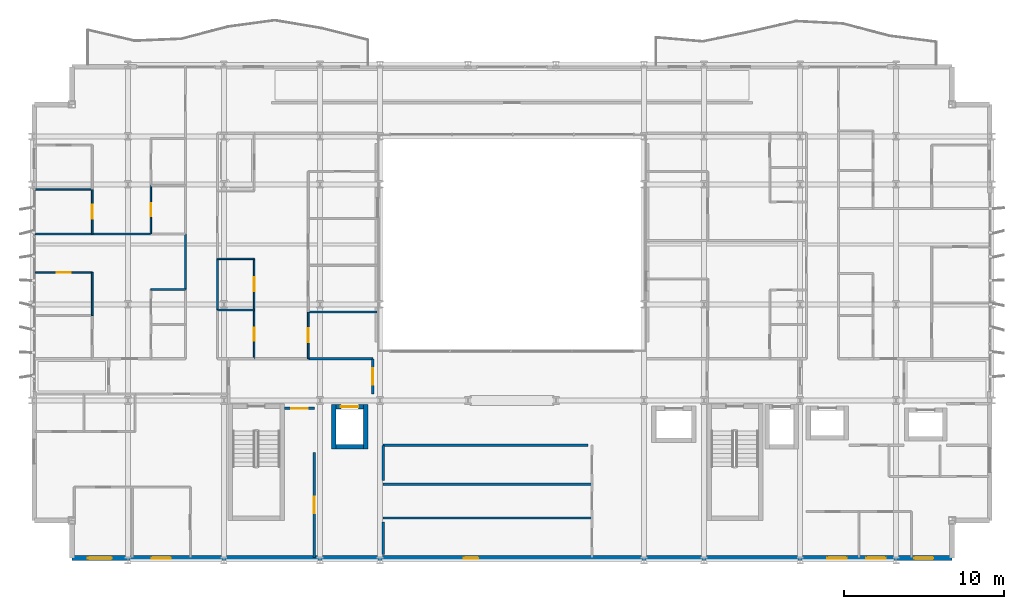
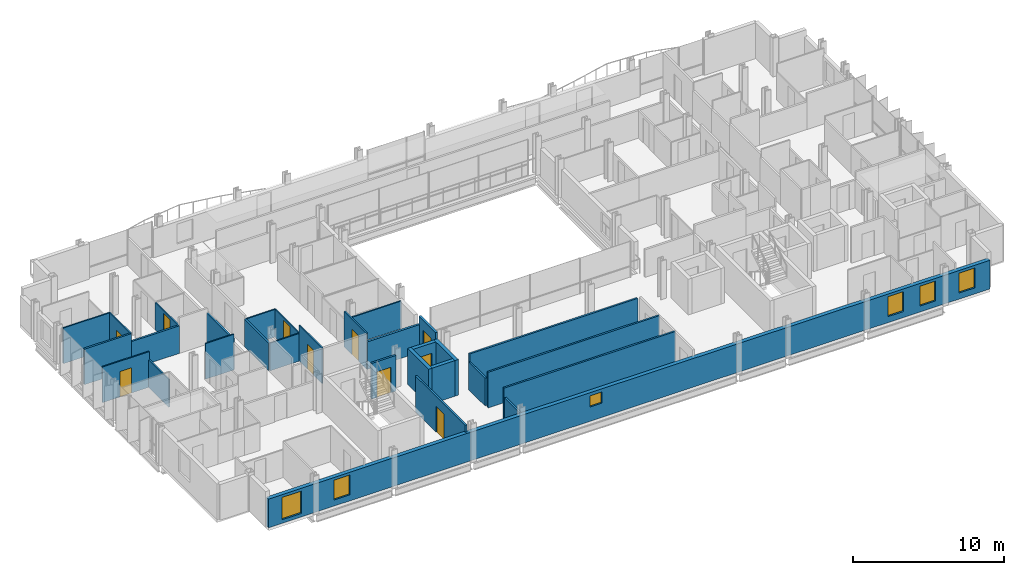
# One storey, part 28 of 38: 30 walls, 10 doors, 6 windows, 16 openings.
"""IFC4 building model written with IfcOpenShell, lengths in metres."""

from ifc_helpers import new_model, si_unit, direction, frame, frame_2d, origin, place, context, subcontext, project, spatial, rectangle, extrude, material, layer, layer_set, type_object, element, fill, save


model = new_model("IFC4")

# Units and contexts
model_context = context("Model", 3, precision=1e-05, world=origin(), true_north=direction((0.0, 1.0)))
body_context = subcontext(model_context, "Body", "Model", "MODEL_VIEW")
ifc_project = project(units=[si_unit("LENGTHUNIT", "METRE"), si_unit("AREAUNIT", "SQUARE_METRE"), si_unit("VOLUMEUNIT", "CUBIC_METRE"), si_unit("PLANEANGLEUNIT", "RADIAN"), si_unit("MASSUNIT", "GRAM", prefix="KILO")], contexts=[model_context])

# Site, building, storey
site_placement = place(None, origin())
site = spatial("IfcSite", under=ifc_project, at=site_placement, CompositionType="ELEMENT")
building_placement = place(site_placement, origin())
building = spatial("IfcBuilding", under=site, at=building_placement, Name="Brevholm Reach", CompositionType="ELEMENT")
storey_placement = place(building_placement, frame((0.0, 0.0, 59.0)))
storey = spatial("IfcBuildingStorey", under=building, at=storey_placement, Name="L16", CompositionType="ELEMENT", Elevation=59.0)

# Walls
ifc_material_1 = material(Name="Concrete C50/60", Category="concrete")
ifc_layer_1 = layer(ifc_material_1, 0.280029296875)
ifc_layer_set_1 = layer_set([ifc_layer_1], Name="Concrete C50/60")
wall_type_1 = type_object("IfcWallType", Name="WAL-COR-280", PredefinedType="SHEAR", material=ifc_layer_set_1)
for number, where, z_axis, x_axis, name in (
    (1, (18.85009765625, 6.9599609375, 0.0), (0.0, 0.0, 1.0), (0.0, 1.0, 0.0), "L16 Lift FFL-1 Shaft Wall W"),
    (2, (20.85009765625, 6.9599609375, 0.0), (0.0, 0.0, 1.0), (0.0, 1.0, 0.0), "L16 Lift FFL-1 Shaft Wall E"),
):
    element("IfcWall", number, at=place(storey_placement, frame(where, z_axis=z_axis, x_axis=x_axis)), inside=storey, type_object=wall_type_1, Name=name, PredefinedType="SHEAR", context=body_context, shape_type="SweptSolid", body=[
        extrude(rectangle(XDim=2.780029296875, YDim=0.280029296875, at=frame_2d((1.39013671875, 0.0))), origin(), (0.0, 0.0, 1.0), 2.8701171875),
    ])
wall_1_placement = place(storey_placement, frame((18.989990234375, 7.10009765625, 0.0), z_axis=(0.0, 0.0, 1.0), x_axis=(1.0, 0.0, 0.0)))
element("IfcWall", 3, at=wall_1_placement, inside=storey, type_object=wall_type_1, Name="L16 Lift FFL-1 Shaft Wall S", PredefinedType="SHEAR", context=body_context, shape_type="SweptSolid", body=[
    extrude(rectangle(XDim=1.719970703125, YDim=0.280029296875, at=frame_2d((0.85986328125, 0.0))), origin(), (0.0, 0.0, 1.0), 2.8701171875),
])

# Wall, opening, door
wall_2_placement = place(storey_placement, frame((18.989990234375, 9.60009765625, 0.0), z_axis=(0.0, 0.0, 1.0), x_axis=(1.0, 0.0, 0.0)))
wall_2 = element("IfcWall", 4, at=wall_2_placement, inside=storey, type_object=wall_type_1, Name="L16 Lift FFL-1 Shaft Wall N", PredefinedType="SHEAR", context=body_context, shape_type="SweptSolid", body=[
    extrude(rectangle(XDim=1.719970703125, YDim=0.280029296875, at=frame_2d((0.85986328125, 0.0))), origin(), (0.0, 0.0, 1.0), 2.8701171875),
])
opening_1_placement = place(wall_2_placement, frame((0.31005859375, 0.0, 0.0)))
opening_1 = element("IfcOpeningElement", 5, at=opening_1_placement, cuts=wall_2, Name="Opening LD-FFL-1", PredefinedType="OPENING", context=body_context, shape_type="SweptSolid", body=[
    extrude(rectangle(XDim=1.10009765625, YDim=2.06005859375, at=frame_2d((0.550048828125, 1.030029296875))), frame((0.0, 0.14990234375, 0.0), z_axis=(0.0, -1.0, 0.0), x_axis=(1.0, 0.0, 0.0)), (0.0, 0.0, 1.0), 0.300048828125),
])
ifc_material_2 = material(Name="Brushed Stainless Steel Fire-Rated Sliding Lift Door", Category="steel")
door_type_1 = type_object("IfcDoorType", Name="DOR-LFT-1100", OperationType="NOTDEFINED", PredefinedType="DOOR", material=ifc_material_2)
door_1_placement = place(opening_1_placement, origin())
door_1 = element("IfcDoor", 6, at=door_1_placement, inside=storey, type_object=door_type_1, Name="L16 Lift FFL-1 Sliding Landing Door", OperationType="SLIDING_TO_RIGHT", OverallHeight=2.06005859375, OverallWidth=1.10009765625, PredefinedType="DOOR", context=body_context, shape_type="SweptSolid", body=[
    extrude(rectangle(XDim=1.10009765625, YDim=2.06005859375, at=frame_2d((0.550048828125, 1.030029296875))), frame((0.0, 0.02490234375, 0.0), z_axis=(0.0, -1.0, 0.0), x_axis=(1.0, 0.0, 0.0)), (0.0, 0.0, 1.0), 0.050048828125),
])
fill(opening_1, door_1)

# Wall, openings, windows
ifc_material_3 = material(Name="Concrete C40/50", Category="concrete")
ifc_layer_2 = layer(ifc_material_3, 0.300048828125)
ifc_layer_set_2 = layer_set([ifc_layer_2], Name="Concrete C40/50")
wall_type_2 = type_object("IfcWallType", Name="WAL-EXT-300", PredefinedType="STANDARD", material=ifc_layer_set_2)
wall_3_placement = place(storey_placement, frame((2.5, 0.14990234375, 0.0), z_axis=(0.0, 0.0, 1.0), x_axis=(1.0, 0.0, 0.0)))
wall_3 = element("IfcWall", 7, at=wall_3_placement, inside=storey, type_object=wall_type_2, Name="L16 Facade Wall WAL-L16-S", PredefinedType="STANDARD", context=body_context, shape_type="SweptSolid", body=[
    extrude(rectangle(XDim=55.0, YDim=0.300048828125, at=frame_2d((27.5, 0.0))), origin(), (0.0, 0.0, 1.0), 2.305419921875),
])
opening_2_placement = place(wall_3_placement, frame((1.0, 0.0, 0.285888671875)))
opening_2 = element("IfcOpeningElement", 8, at=opening_2_placement, cuts=wall_3, Name="Opening WN-05", PredefinedType="OPENING", context=body_context, shape_type="SweptSolid", body=[
    extrude(rectangle(XDim=1.5, YDim=1.800048828125, at=frame_2d((0.75, 0.89990234375))), frame((0.0, 0.159912109375, 0.0), z_axis=(0.0, -1.0, 0.0), x_axis=(1.0, 0.0, 0.0)), (0.0, 0.0, 1.0), 0.320068359375),
])
opening_3_placement = place(wall_3_placement, frame((24.5, 0.0, 1.14990234375)))
opening_3 = element("IfcOpeningElement", 9, at=opening_3_placement, cuts=wall_3, Name="Opening WN-09", PredefinedType="OPENING", context=body_context, shape_type="SweptSolid", body=[
    extrude(rectangle(XDim=0.89990234375, YDim=0.89990234375, at=frame_2d((0.449951171875, 0.449951171875))), frame((0.0, 0.159912109375, 0.0), z_axis=(0.0, -1.0, 0.0), x_axis=(1.0, 0.0, 0.0)), (0.0, 0.0, 1.0), 0.320068359375),
])
opening_4_placement = place(wall_3_placement, frame((47.199951171875, 0.0, 0.486083984375)))
opening_4 = element("IfcOpeningElement", 10, at=opening_4_placement, cuts=wall_3, Name="Opening WN-08", PredefinedType="OPENING", context=body_context, shape_type="SweptSolid", body=[
    extrude(rectangle(XDim=1.199951171875, YDim=1.60009765625, at=frame_2d((0.60009765625, 0.800048828125))), frame((0.0, 0.159912109375, 0.0), z_axis=(0.0, -1.0, 0.0), x_axis=(1.0, 0.0, 0.0)), (0.0, 0.0, 1.0), 0.320068359375),
])
opening_5_placement = place(wall_3_placement, frame((52.6298828125, 0.0, 0.486083984375)))
opening_5 = element("IfcOpeningElement", 11, at=opening_5_placement, cuts=wall_3, Name="Opening WN-08", PredefinedType="OPENING", context=body_context, shape_type="SweptSolid", body=[
    extrude(rectangle(XDim=1.199951171875, YDim=1.60009765625, at=frame_2d((0.60009765625, 0.800048828125))), frame((0.0, 0.159912109375, 0.0), z_axis=(0.0, -1.0, 0.0), x_axis=(1.0, 0.0, 0.0)), (0.0, 0.0, 1.0), 0.320068359375),
])
opening_6_placement = place(wall_3_placement, frame((4.987548828125, 0.0, 0.485595703125)))
opening_6 = element("IfcOpeningElement", 12, at=opening_6_placement, cuts=wall_3, Name="Opening WN-08", PredefinedType="OPENING", context=body_context, shape_type="SweptSolid", body=[
    extrude(rectangle(XDim=1.199951171875, YDim=1.60009765625, at=frame_2d((0.60009765625, 0.800048828125))), frame((0.0, 0.159912109375, 0.0), z_axis=(0.0, -1.0, 0.0), x_axis=(1.0, 0.0, 0.0)), (0.0, 0.0, 1.0), 0.320068359375),
])
opening_7_placement = place(wall_3_placement, frame((49.6416015625, 0.0, 0.485595703125)))
opening_7 = element("IfcOpeningElement", 13, at=opening_7_placement, cuts=wall_3, Name="Opening WN-08", PredefinedType="OPENING", context=body_context, shape_type="SweptSolid", body=[
    extrude(rectangle(XDim=1.199951171875, YDim=1.60009765625, at=frame_2d((0.60009765625, 0.800048828125))), frame((0.0, 0.159912109375, 0.0), z_axis=(0.0, -1.0, 0.0), x_axis=(1.0, 0.0, 0.0)), (0.0, 0.0, 1.0), 0.320068359375),
])
ifc_material_4 = material(Name="Dark Anodised Aluminium and Solar-Control IGU Glass", Category="aluminium")
window_type_1 = type_object("IfcWindowType", Name="WIN-POR-0900", PartitioningType="SINGLE_PANEL", PredefinedType="WINDOW", material=ifc_material_4)
window_1_placement = place(opening_3_placement, origin())
window_1 = element("IfcWindow", 14, at=window_1_placement, inside=storey, type_object=window_type_1, Name="L16 Window WIN-L16-S-POR", OverallHeight=0.89990234375, OverallWidth=0.89990234375, PartitioningType="SINGLE_PANEL", PredefinedType="WINDOW", context=body_context, shape_type="SweptSolid", body=[
    extrude(rectangle(XDim=0.89990234375, YDim=0.89990234375, at=frame_2d((0.449951171875, 0.449951171875))), frame((0.0, 0.030029296875, 0.0), z_axis=(0.0, -1.0, 0.0), x_axis=(1.0, 0.0, 0.0)), (0.0, 0.0, 1.0), 0.06005859375),
])
fill(opening_3, window_1)
ifc_material_5 = material(Name="Dark Anodised Aluminium and Solar-Control IGU Glass", Category="aluminium")
window_type_2 = type_object("IfcWindowType", Name="WIN-RES-1200", PartitioningType="SINGLE_PANEL", PredefinedType="WINDOW", material=ifc_material_5)
window_2_placement = place(opening_4_placement, origin())
window_2 = element("IfcWindow", 15, at=window_2_placement, inside=storey, type_object=window_type_2, Name="L16 Window WIN-L16-S-E1", OverallHeight=1.60009765625, OverallWidth=1.199951171875, PartitioningType="SINGLE_PANEL", PredefinedType="WINDOW", context=body_context, shape_type="SweptSolid", body=[
    extrude(rectangle(XDim=1.199951171875, YDim=1.60009765625, at=frame_2d((0.60009765625, 0.800048828125))), frame((0.0, 0.030029296875, 0.0), z_axis=(0.0, -1.0, 0.0), x_axis=(1.0, 0.0, 0.0)), (0.0, 0.0, 1.0), 0.06005859375),
])
fill(opening_4, window_2)
window_3_placement = place(opening_5_placement, origin())
window_3 = element("IfcWindow", 16, at=window_3_placement, inside=storey, type_object=window_type_2, Name="L16 Window WIN-L16-S-E2", OverallHeight=1.60009765625, OverallWidth=1.199951171875, PartitioningType="SINGLE_PANEL", PredefinedType="WINDOW", context=body_context, shape_type="SweptSolid", body=[
    extrude(rectangle(XDim=1.199951171875, YDim=1.60009765625, at=frame_2d((0.60009765625, 0.800048828125))), frame((0.0, 0.030029296875, 0.0), z_axis=(0.0, -1.0, 0.0), x_axis=(1.0, 0.0, 0.0)), (0.0, 0.0, 1.0), 0.06005859375),
])
fill(opening_5, window_3)
window_4_placement = place(opening_6_placement, origin())
window_4 = element("IfcWindow", 17, at=window_4_placement, inside=storey, type_object=window_type_2, Name="L16 Bedroom Window 011", OverallHeight=1.60009765625, OverallWidth=1.199951171875, PartitioningType="SINGLE_PANEL", PredefinedType="WINDOW", context=body_context, shape_type="SweptSolid", body=[
    extrude(rectangle(XDim=1.199951171875, YDim=1.60009765625, at=frame_2d((0.60009765625, 0.800048828125))), frame((0.0, 0.030029296875, 0.0), z_axis=(0.0, -1.0, 0.0), x_axis=(1.0, 0.0, 0.0)), (0.0, 0.0, 1.0), 0.06005859375),
])
fill(opening_6, window_4)
window_5_placement = place(opening_7_placement, origin())
window_5 = element("IfcWindow", 18, at=window_5_placement, inside=storey, type_object=window_type_2, Name="L16 Bedroom Window 012", OverallHeight=1.60009765625, OverallWidth=1.199951171875, PartitioningType="SINGLE_PANEL", PredefinedType="WINDOW", context=body_context, shape_type="SweptSolid", body=[
    extrude(rectangle(XDim=1.199951171875, YDim=1.60009765625, at=frame_2d((0.60009765625, 0.800048828125))), frame((0.0, 0.030029296875, 0.0), z_axis=(0.0, -1.0, 0.0), x_axis=(1.0, 0.0, 0.0)), (0.0, 0.0, 1.0), 0.06005859375),
])
fill(opening_7, window_5)
ifc_material_6 = material(Name="Dark Anodised Aluminium and Solar-Control IGU Glass", Category="aluminium")
window_type_3 = type_object("IfcWindowType", Name="WIN-RES-1500", PartitioningType="SINGLE_PANEL", PredefinedType="WINDOW", material=ifc_material_6)
window_6_placement = place(opening_2_placement, origin())
window_6 = element("IfcWindow", 19, at=window_6_placement, inside=storey, type_object=window_type_3, Name="L16 Window WIN-L16-S-W1", OverallHeight=1.800048828125, OverallWidth=1.5, PartitioningType="SINGLE_PANEL", PredefinedType="WINDOW", context=body_context, shape_type="SweptSolid", body=[
    extrude(rectangle(XDim=1.5, YDim=1.800048828125, at=frame_2d((0.75, 0.89990234375))), frame((0.0, 0.030029296875, 0.0), z_axis=(0.0, -1.0, 0.0), x_axis=(1.0, 0.0, 0.0)), (0.0, 0.0, 1.0), 0.06005859375),
])
fill(opening_2, window_6)

# Walls
ifc_material_7 = material(Name="Moisture-Resistant Acoustic Gypsum Stud Partition 100 mm", Category="gypsum")
ifc_layer_3 = layer(ifc_material_7, 0.10009765625)
ifc_layer_set_3 = layer_set([ifc_layer_3], Name="Moisture-Resistant Acoustic Gypsum Stud Partition 100 mm")
wall_type_3 = type_object("IfcWallType", Name="WAL-PRT-100", PredefinedType="PARTITIONING", material=ifc_layer_set_3)
wall_4_placement = place(storey_placement, frame((7.43798828125, 16.93408203125, 0.0), z_axis=(0.0, 0.0, 1.0), x_axis=(1.0, 0.0, 0.0)))
element("IfcWall", 20, at=wall_4_placement, inside=storey, type_object=wall_type_3, Name="L16 Internal Partition 086", PredefinedType="PARTITIONING", context=body_context, shape_type="SweptSolid", body=[
    extrude(rectangle(XDim=2.157958984375, YDim=0.10009765625, at=frame_2d((1.0791015625, 0.0))), origin(), (0.0, 0.0, 1.0), 2.8701171875),
])
wall_5_placement = place(storey_placement, frame((3.77197265625, 15.303955078125, 0.0), z_axis=(0.0, 0.0, 1.0), x_axis=(0.0, 1.0, 0.0)))
element("IfcWall", 21, at=wall_5_placement, inside=storey, type_object=wall_type_3, Name="L16 Internal Partition 090", PredefinedType="PARTITIONING", context=body_context, shape_type="SweptSolid", body=[
    extrude(rectangle(XDim=2.696044921875, YDim=0.10009765625, at=frame_2d((1.34814453125, 0.0))), origin(), (0.0, 0.0, 1.0), 2.224853515625),
])

# Wall, opening, door
wall_6_placement = place(storey_placement, frame((0.199951171875, 18.0, 0.0), z_axis=(0.0, 0.0, 1.0), x_axis=(1.0, 0.0, 0.0)))
wall_6 = element("IfcWall", 22, at=wall_6_placement, inside=storey, type_object=wall_type_3, Name="L16 Internal Partition 091", PredefinedType="PARTITIONING", context=body_context, shape_type="SweptSolid", body=[
    extrude(rectangle(XDim=3.572021484375, YDim=0.10009765625, at=frame_2d((1.7861328125, 0.0))), origin(), (0.0, 0.0, 1.0), 2.8701171875),
])
opening_8_placement = place(wall_6_placement, frame((1.345947265625, 0.0, 0.0)))
opening_8 = element("IfcOpeningElement", 23, at=opening_8_placement, cuts=wall_6, Name="Opening ID-01", PredefinedType="OPENING", context=body_context, shape_type="SweptSolid", body=[
    extrude(rectangle(XDim=0.8798828125, YDim=2.0400390625, at=frame_2d((0.43994140625, 1.02001953125))), frame((0.0, 0.06005859375, 0.0), z_axis=(0.0, -1.0, 0.0), x_axis=(1.0, 0.0, 0.0)), (0.0, 0.0, 1.0), 0.1201171875),
])
ifc_material_8 = material(Name="Lacquered Ash Solid-Core Acoustic Internal Door", Category="timber")
door_type_2 = type_object("IfcDoorType", Name="DOR-INT-880", OperationType="NOTDEFINED", PredefinedType="DOOR", material=ifc_material_8)
door_2_placement = place(opening_8_placement, origin())
door_2 = element("IfcDoor", 24, at=door_2_placement, inside=storey, type_object=door_type_2, Name="L16 Internal Door 033", OperationType="SINGLE_SWING_LEFT", OverallHeight=2.0400390625, OverallWidth=0.8798828125, PredefinedType="DOOR", context=body_context, shape_type="SweptSolid", body=[
    extrude(rectangle(XDim=0.8798828125, YDim=2.0400390625, at=frame_2d((0.43994140625, 1.02001953125))), frame((0.0, 0.02490234375, 0.0), z_axis=(0.0, -1.0, 0.0), x_axis=(1.0, 0.0, 0.0)), (0.0, 0.0, 1.0), 0.050048828125),
])
fill(opening_8, door_2)

wall_7_placement = place(storey_placement, frame((7.43798828125, 20.404052734375, 0.0), z_axis=(0.0, 0.0, 1.0), x_axis=(0.0, 1.0, 0.0)))
wall_7 = element("IfcWall", 25, at=wall_7_placement, inside=storey, type_object=wall_type_3, Name="L16 Internal Partition 096", PredefinedType="PARTITIONING", context=body_context, shape_type="SweptSolid", body=[
    extrude(rectangle(XDim=3.0439453125, YDim=0.10009765625, at=frame_2d((1.52197265625, 0.0))), origin(), (0.0, 0.0, 1.0), 2.224853515625),
])
opening_9_placement = place(wall_7_placement, frame((1.112060546875, 0.0, 0.0)))
opening_9 = element("IfcOpeningElement", 26, at=opening_9_placement, cuts=wall_7, Name="Opening ID-03", PredefinedType="OPENING", context=body_context, shape_type="SweptSolid", body=[
    extrude(rectangle(XDim=0.820068359375, YDim=2.02001953125, at=frame_2d((0.41015625, 1.010009765625))), frame((0.0, 0.06005859375, 0.0), z_axis=(0.0, -1.0, 0.0), x_axis=(1.0, 0.0, 0.0)), (0.0, 0.0, 1.0), 0.1201171875),
])
ifc_material_9 = material(Name="Moisture-Resistant Painted Timber Internal Bathroom Door", Category="wood")
door_type_3 = type_object("IfcDoorType", Name="DOR-BATH-820", OperationType="NOTDEFINED", PredefinedType="DOOR", material=ifc_material_9)
door_3_placement = place(opening_9_placement, origin())
door_3 = element("IfcDoor", 27, at=door_3_placement, inside=storey, type_object=door_type_3, Name="L16 Internal Door 034", OperationType="SINGLE_SWING_RIGHT", OverallHeight=2.02001953125, OverallWidth=0.820068359375, PredefinedType="DOOR", context=body_context, shape_type="SweptSolid", body=[
    extrude(rectangle(XDim=0.820068359375, YDim=2.02001953125, at=frame_2d((0.41015625, 1.010009765625))), frame((0.0, 0.02490234375, 0.0), z_axis=(0.0, -1.0, 0.0), x_axis=(1.0, 0.0, 0.0)), (0.0, 0.0, 1.0), 0.050048828125),
])
fill(opening_9, door_3)

# Wall
wall_8_placement = place(storey_placement, frame((0.199951171875, 23.175048828125, 0.0), z_axis=(0.0, 0.0, 1.0), x_axis=(1.0, 0.0, 0.0)))
element("IfcWall", 28, at=wall_8_placement, inside=storey, type_object=wall_type_3, Name="L16 Internal Partition 099", PredefinedType="PARTITIONING", context=body_context, shape_type="SweptSolid", body=[
    extrude(rectangle(XDim=3.572021484375, YDim=0.10009765625, at=frame_2d((1.7861328125, 0.0))), origin(), (0.0, 0.0, 1.0), 2.8701171875),
])

# Wall, opening, door
wall_9_placement = place(storey_placement, frame((3.77197265625, 20.404052734375, 0.0), z_axis=(0.0, 0.0, 1.0), x_axis=(0.0, 1.0, 0.0)))
wall_9 = element("IfcWall", 29, at=wall_9_placement, inside=storey, type_object=wall_type_3, Name="L16 Internal Partition 100", PredefinedType="PARTITIONING", context=body_context, shape_type="SweptSolid", body=[
    extrude(rectangle(XDim=2.77099609375, YDim=0.10009765625, at=frame_2d((1.385498046875, 0.0))), origin(), (0.0, 0.0, 1.0), 2.8701171875),
])
opening_10_placement = place(wall_9_placement, frame((0.945556640625, 0.0, 0.0)))
opening_10 = element("IfcOpeningElement", 30, at=opening_10_placement, cuts=wall_9, Name="Opening ID-01", PredefinedType="OPENING", context=body_context, shape_type="SweptSolid", body=[
    extrude(rectangle(XDim=0.8798828125, YDim=2.0400390625, at=frame_2d((0.43994140625, 1.02001953125))), frame((0.0, 0.06005859375, 0.0), z_axis=(0.0, -1.0, 0.0), x_axis=(1.0, 0.0, 0.0)), (0.0, 0.0, 1.0), 0.1201171875),
])
door_4_placement = place(opening_10_placement, origin())
door_4 = element("IfcDoor", 31, at=door_4_placement, inside=storey, type_object=door_type_2, Name="L16 Internal Door 036", OperationType="SINGLE_SWING_RIGHT", OverallHeight=2.0400390625, OverallWidth=0.8798828125, PredefinedType="DOOR", context=body_context, shape_type="SweptSolid", body=[
    extrude(rectangle(XDim=0.8798828125, YDim=2.0400390625, at=frame_2d((0.43994140625, 1.02001953125))), frame((0.0, 0.02490234375, 0.0), z_axis=(0.0, -1.0, 0.0), x_axis=(1.0, 0.0, 0.0)), (0.0, 0.0, 1.0), 0.050048828125),
])
fill(opening_10, door_4)

# Wall
wall_10_placement = place(storey_placement, frame((11.60400390625, 15.64990234375, 0.0), z_axis=(0.0, 0.0, 1.0), x_axis=(1.0, 0.0, 0.0)))
element("IfcWall", 32, at=wall_10_placement, inside=storey, type_object=wall_type_3, Name="L16 Internal Partition 103", PredefinedType="PARTITIONING", context=body_context, shape_type="SweptSolid", body=[
    extrude(rectangle(XDim=2.284912109375, YDim=0.10009765625, at=frame_2d((1.142578125, 0.0))), origin(), (0.0, 0.0, 1.0), 2.224853515625),
])

# Wall, opening, door
wall_11_placement = place(storey_placement, frame((13.888916015625, 12.60400390625, 0.0), z_axis=(0.0, 0.0, 1.0), x_axis=(0.0, 1.0, 0.0)))
wall_11 = element("IfcWall", 33, at=wall_11_placement, inside=storey, type_object=wall_type_3, Name="L16 Internal Partition 104", PredefinedType="PARTITIONING", context=body_context, shape_type="SweptSolid", body=[
    extrude(rectangle(XDim=3.0458984375, YDim=0.10009765625, at=frame_2d((1.52294921875, 0.0))), origin(), (0.0, 0.0, 1.0), 2.8701171875),
])
opening_11_placement = place(wall_11_placement, frame((1.113037109375, 0.0, 0.0)))
opening_11 = element("IfcOpeningElement", 34, at=opening_11_placement, cuts=wall_11, Name="Opening ID-03", PredefinedType="OPENING", context=body_context, shape_type="SweptSolid", body=[
    extrude(rectangle(XDim=0.820068359375, YDim=2.02001953125, at=frame_2d((0.41015625, 1.010009765625))), frame((0.0, 0.06005859375, 0.0), z_axis=(0.0, -1.0, 0.0), x_axis=(1.0, 0.0, 0.0)), (0.0, 0.0, 1.0), 0.1201171875),
])
door_5_placement = place(opening_11_placement, origin())
door_5 = element("IfcDoor", 35, at=door_5_placement, inside=storey, type_object=door_type_3, Name="L16 Internal Door 038", OperationType="SINGLE_SWING_RIGHT", OverallHeight=2.02001953125, OverallWidth=0.820068359375, PredefinedType="DOOR", context=body_context, shape_type="SweptSolid", body=[
    extrude(rectangle(XDim=0.820068359375, YDim=2.02001953125, at=frame_2d((0.41015625, 1.010009765625))), frame((0.0, 0.02490234375, 0.0), z_axis=(0.0, -1.0, 0.0), x_axis=(1.0, 0.0, 0.0)), (0.0, 0.0, 1.0), 0.050048828125),
])
fill(opening_11, door_5)

wall_12_placement = place(storey_placement, frame((13.888916015625, 15.654052734375, 0.0), z_axis=(0.0, 0.0, 1.0), x_axis=(0.0, 1.0, 0.0)))
wall_12 = element("IfcWall", 36, at=wall_12_placement, inside=storey, type_object=wall_type_3, Name="L16 Internal Partition 105", PredefinedType="PARTITIONING", context=body_context, shape_type="SweptSolid", body=[
    extrude(rectangle(XDim=3.196044921875, YDim=0.10009765625, at=frame_2d((1.59814453125, 0.0))), origin(), (0.0, 0.0, 1.0), 2.224853515625),
])
opening_12_placement = place(wall_12_placement, frame((1.157958984375, 0.0, 0.0)))
opening_12 = element("IfcOpeningElement", 37, at=opening_12_placement, cuts=wall_12, Name="Opening ID-01", PredefinedType="OPENING", context=body_context, shape_type="SweptSolid", body=[
    extrude(rectangle(XDim=0.8798828125, YDim=2.0400390625, at=frame_2d((0.43994140625, 1.02001953125))), frame((0.0, 0.06005859375, 0.0), z_axis=(0.0, -1.0, 0.0), x_axis=(1.0, 0.0, 0.0)), (0.0, 0.0, 1.0), 0.1201171875),
])
door_6_placement = place(opening_12_placement, origin())
door_6 = element("IfcDoor", 38, at=door_6_placement, inside=storey, type_object=door_type_2, Name="L16 Internal Door 039", OperationType="SINGLE_SWING_LEFT", OverallHeight=2.0400390625, OverallWidth=0.8798828125, PredefinedType="DOOR", context=body_context, shape_type="SweptSolid", body=[
    extrude(rectangle(XDim=0.8798828125, YDim=2.0400390625, at=frame_2d((0.43994140625, 1.02001953125))), frame((0.0, 0.02490234375, 0.0), z_axis=(0.0, -1.0, 0.0), x_axis=(1.0, 0.0, 0.0)), (0.0, 0.0, 1.0), 0.050048828125),
])
fill(opening_12, door_6)

# Walls
wall_13_placement = place(storey_placement, frame((11.60400390625, 18.85009765625, 0.0), z_axis=(0.0, 0.0, 1.0), x_axis=(1.0, 0.0, 0.0)))
element("IfcWall", 39, at=wall_13_placement, inside=storey, type_object=wall_type_3, Name="L16 Internal Partition 106", PredefinedType="PARTITIONING", context=body_context, shape_type="SweptSolid", body=[
    extrude(rectangle(XDim=2.284912109375, YDim=0.10009765625, at=frame_2d((1.142578125, 0.0))), origin(), (0.0, 0.0, 1.0), 2.224853515625),
])
wall_14_placement = place(storey_placement, frame((17.27099609375, 15.52490234375, 0.0), z_axis=(0.0, 0.0, 1.0), x_axis=(1.0, 0.0, 0.0)))
element("IfcWall", 40, at=wall_14_placement, inside=storey, type_object=wall_type_3, Name="L16 Internal Partition 109", PredefinedType="PARTITIONING", context=body_context, shape_type="SweptSolid", body=[
    extrude(rectangle(XDim=4.279052734375, YDim=0.10009765625, at=frame_2d((2.1396484375, 0.0))), origin(), (0.0, 0.0, 1.0), 2.224853515625),
])

# Wall, opening, door
wall_15_placement = place(storey_placement, frame((17.27099609375, 12.60400390625, 0.0), z_axis=(0.0, 0.0, 1.0), x_axis=(0.0, 1.0, 0.0)))
wall_15 = element("IfcWall", 41, at=wall_15_placement, inside=storey, type_object=wall_type_3, Name="L16 Internal Partition 110", PredefinedType="PARTITIONING", context=body_context, shape_type="SweptSolid", body=[
    extrude(rectangle(XDim=2.9208984375, YDim=0.10009765625, at=frame_2d((1.46044921875, 0.0))), origin(), (0.0, 0.0, 1.0), 2.8701171875),
])
opening_13_placement = place(wall_15_placement, frame((1.0205078125, 0.0, 0.0)))
opening_13 = element("IfcOpeningElement", 42, at=opening_13_placement, cuts=wall_15, Name="Opening ID-01", PredefinedType="OPENING", context=body_context, shape_type="SweptSolid", body=[
    extrude(rectangle(XDim=0.8798828125, YDim=2.0400390625, at=frame_2d((0.43994140625, 1.02001953125))), frame((0.0, 0.06005859375, 0.0), z_axis=(0.0, -1.0, 0.0), x_axis=(1.0, 0.0, 0.0)), (0.0, 0.0, 1.0), 0.1201171875),
])
door_7_placement = place(opening_13_placement, origin())
door_7 = element("IfcDoor", 43, at=door_7_placement, inside=storey, type_object=door_type_2, Name="L16 Internal Door 041", OperationType="SINGLE_SWING_LEFT", OverallHeight=2.0400390625, OverallWidth=0.8798828125, PredefinedType="DOOR", context=body_context, shape_type="SweptSolid", body=[
    extrude(rectangle(XDim=0.8798828125, YDim=2.0400390625, at=frame_2d((0.43994140625, 1.02001953125))), frame((0.0, 0.02490234375, 0.0), z_axis=(0.0, -1.0, 0.0), x_axis=(1.0, 0.0, 0.0)), (0.0, 0.0, 1.0), 0.050048828125),
])
fill(opening_13, door_7)

# Walls
ifc_material_10 = material(Name="Twin-Stud Acoustic Fire-Rated Gypsum Partition 140 mm", Category="gypsum")
ifc_layer_4 = layer(ifc_material_10, 0.139892578125)
ifc_layer_set_4 = layer_set([ifc_layer_4], Name="Twin-Stud Acoustic Fire-Rated Gypsum Partition 140 mm")
wall_type_4 = type_object("IfcWallType", Name="WAL-PRT-140", PredefinedType="PARTITIONING", material=ifc_layer_set_4)
for number, where, z_axis, x_axis, name in (
    (44, (21.949951171875, 2.656982421875, 0.0), (0.0, 0.0, 1.0), (1.0, 0.0, 0.0), "L16 Internal Partition 004"),
    (45, (21.949951171875, 4.764892578125, 0.0), (0.0, 0.0, 1.0), (1.0, 0.0, 0.0), "L16 Internal Partition 005"),
):
    element("IfcWall", number, at=place(storey_placement, frame(where, z_axis=z_axis, x_axis=x_axis)), inside=storey, type_object=wall_type_4, Name=name, PredefinedType="PARTITIONING", context=body_context, shape_type="SweptSolid", body=[
        extrude(rectangle(XDim=13.046142578125, YDim=0.139892578125, at=frame_2d((6.52294921875, 0.0))), origin(), (0.0, 0.0, 1.0), 2.8701171875),
    ])

# Wall, opening, door
wall_16_placement = place(storey_placement, frame((17.64990234375, 0.179931640625, 0.0), z_axis=(0.0, 0.0, 1.0), x_axis=(0.0, 1.0, 0.0)))
wall_16 = element("IfcWall", 46, at=wall_16_placement, inside=storey, type_object=wall_type_4, Name="L16 Internal Partition 006", PredefinedType="PARTITIONING", context=body_context, shape_type="SweptSolid", body=[
    extrude(rectangle(XDim=6.581298828125, YDim=0.139892578125, at=frame_2d((3.29052734375, 0.0))), origin(), (0.0, 0.0, 1.0), 2.8701171875),
])
opening_14_placement = place(wall_16_placement, frame((2.765625, 0.0, 0.0)))
opening_14 = element("IfcOpeningElement", 47, at=opening_14_placement, cuts=wall_16, Name="Opening FD-01", PredefinedType="OPENING", context=body_context, shape_type="SweptSolid", body=[
    extrude(rectangle(XDim=1.050048828125, YDim=2.06005859375, at=frame_2d((0.52490234375, 1.030029296875))), frame((0.0, 0.079833984375, 0.0), z_axis=(0.0, -1.0, 0.0), x_axis=(1.0, 0.0, 0.0)), (0.0, 0.0, 1.0), 0.159912109375),
])
ifc_material_11 = material(Name="Hardwood-Lipped Steel-Core Fire and Smoke Door", Category="steel")
door_type_4 = type_object("IfcDoorType", Name="DOR-INT-FD60S", OperationType="NOTDEFINED", PredefinedType="DOOR", material=ifc_material_11)
door_8_placement = place(opening_14_placement, origin())
door_8 = element("IfcDoor", 48, at=door_8_placement, inside=storey, type_object=door_type_4, Name="L16 Internal Door 004", OperationType="SINGLE_SWING_RIGHT", OverallHeight=2.06005859375, OverallWidth=1.050048828125, PredefinedType="DOOR", context=body_context, shape_type="SweptSolid", body=[
    extrude(rectangle(XDim=1.050048828125, YDim=2.06005859375, at=frame_2d((0.52490234375, 1.030029296875))), frame((0.0, 0.02490234375, 0.0), z_axis=(0.0, -1.0, 0.0), x_axis=(1.0, 0.0, 0.0)), (0.0, 0.0, 1.0), 0.050048828125),
])
fill(opening_14, door_8)

# Walls
wall_17_placement = place(storey_placement, frame((9.60009765625, 16.9267578125, 0.0), z_axis=(0.0, 0.0, 1.0), x_axis=(0.0, 1.0, 0.0)))
element("IfcWall", 49, at=wall_17_placement, inside=storey, type_object=wall_type_4, Name="L16 Internal Partition 034", PredefinedType="PARTITIONING", context=body_context, shape_type="SweptSolid", body=[
    extrude(rectangle(XDim=3.484619140625, YDim=0.139892578125, at=frame_2d((1.7421875, 0.0))), origin(), (0.0, 0.0, 1.0), 2.489990234375),
])
wall_18_placement = place(storey_placement, frame((11.60009765625, 15.642578125, 0.0), z_axis=(0.0, 0.0, 1.0), x_axis=(0.0, 1.0, 0.0)))
element("IfcWall", 50, at=wall_18_placement, inside=storey, type_object=wall_type_4, Name="L16 Internal Partition 039", PredefinedType="PARTITIONING", context=body_context, shape_type="SweptSolid", body=[
    extrude(rectangle(XDim=3.21875, YDim=0.139892578125, at=frame_2d((1.609375, 0.0))), origin(), (0.0, 0.0, 1.0), 2.224853515625),
])
wall_19_placement = place(storey_placement, frame((0.199951171875, 20.39990234375, 0.0), z_axis=(0.0, 0.0, 1.0), x_axis=(1.0, 0.0, 0.0)))
element("IfcWall", 51, at=wall_19_placement, inside=storey, type_object=wall_type_4, Name="L16 Internal Partition 093", PredefinedType="PARTITIONING", context=body_context, shape_type="SweptSolid", body=[
    extrude(rectangle(XDim=3.583251953125, YDim=0.139892578125, at=frame_2d((1.79150390625, 0.0))), origin(), (0.0, 0.0, 1.0), 2.8701171875),
])
wall_20_placement = place(storey_placement, frame((3.7646484375, 20.39990234375, 0.0), z_axis=(0.0, 0.0, 1.0), x_axis=(1.0, 0.0, 0.0)))
element("IfcWall", 52, at=wall_20_placement, inside=storey, type_object=wall_type_4, Name="L16 Internal Partition 094", PredefinedType="PARTITIONING", context=body_context, shape_type="SweptSolid", body=[
    extrude(rectangle(XDim=3.6806640625, YDim=0.139892578125, at=frame_2d((1.84033203125, 0.0))), origin(), (0.0, 0.0, 1.0), 2.224853515625),
])
wall_21_placement = place(storey_placement, frame((21.949951171875, 0.389892578125, 0.0), z_axis=(0.0, 0.0, 1.0), x_axis=(0.0, 1.0, 0.0)))
element("IfcWall", 53, at=wall_21_placement, inside=storey, type_object=wall_type_4, Name="L16 Internal Partition 148", PredefinedType="PARTITIONING", context=body_context, shape_type="SweptSolid", body=[
    extrude(rectangle(XDim=2.027099609375, YDim=0.139892578125, at=frame_2d((1.013671875, 0.0))), origin(), (0.0, 0.0, 1.0), 2.224853515625),
])
wall_22_placement = place(storey_placement, frame((21.949951171875, 7.199951171875, 0.0), z_axis=(0.0, 0.0, 1.0), x_axis=(1.0, 0.0, 0.0)))
element("IfcWall", 54, at=wall_22_placement, inside=storey, type_object=wall_type_4, Name="L16 Internal Partition 149", PredefinedType="PARTITIONING", context=body_context, shape_type="SweptSolid", body=[
    extrude(rectangle(XDim=12.81005859375, YDim=0.139892578125, at=frame_2d((6.405029296875, 0.0))), origin(), (0.0, 0.0, 1.0), 2.8701171875),
])
wall_23_placement = place(storey_placement, frame((21.949951171875, 5.0048828125, 0.0), z_axis=(0.0, 0.0, 1.0), x_axis=(0.0, 1.0, 0.0)))
element("IfcWall", 55, at=wall_23_placement, inside=storey, type_object=wall_type_4, Name="L16 Internal Partition 150", PredefinedType="PARTITIONING", context=body_context, shape_type="SweptSolid", body=[
    extrude(rectangle(XDim=2.195068359375, YDim=0.139892578125, at=frame_2d((1.09765625, 0.0))), origin(), (0.0, 0.0, 1.0), 2.224853515625),
])

# Wall, opening, door
ifc_material_12 = material(Name="Twin-Frame Fire-Rated Gypsum Board and Mineral Wool 160 mm", Category="gypsum")
ifc_layer_5 = layer(ifc_material_12, 0.159912109375)
ifc_layer_set_5 = layer_set([ifc_layer_5], Name="Twin-Frame Fire-Rated Gypsum Board and Mineral Wool 160 mm")
wall_type_5 = type_object("IfcWallType", Name="WAL-PRT-160", PredefinedType="PARTITIONING", material=ifc_layer_set_5)
wall_24_placement = place(storey_placement, frame((15.800048828125, 9.5, 0.0), z_axis=(0.0, 0.0, 1.0), x_axis=(1.0, 0.0, 0.0)))
wall_24 = element("IfcWall", 56, at=wall_24_placement, inside=storey, type_object=wall_type_5, Name="L16 Internal Partition 007", PredefinedType="PARTITIONING", context=body_context, shape_type="SweptSolid", body=[
    extrude(rectangle(XDim=1.849853515625, YDim=0.159912109375, at=frame_2d((0.9248046875, 0.0))), origin(), (0.0, 0.0, 1.0), 2.8701171875),
])
opening_15_placement = place(wall_24_placement, frame((0.39990234375, 0.0, 0.0)))
opening_15 = element("IfcOpeningElement", 57, at=opening_15_placement, cuts=wall_24, Name="Opening FD-01", PredefinedType="OPENING", context=body_context, shape_type="SweptSolid", body=[
    extrude(rectangle(XDim=1.050048828125, YDim=2.06005859375, at=frame_2d((0.52490234375, 1.030029296875))), frame((0.0, 0.08984375, 0.0), z_axis=(0.0, -1.0, 0.0), x_axis=(1.0, 0.0, 0.0)), (0.0, 0.0, 1.0), 0.179931640625),
])
door_9_placement = place(opening_15_placement, origin())
door_9 = element("IfcDoor", 58, at=door_9_placement, inside=storey, type_object=door_type_4, Name="L16 Internal Door 005", OperationType="SINGLE_SWING_LEFT", OverallHeight=2.06005859375, OverallWidth=1.050048828125, PredefinedType="DOOR", context=body_context, shape_type="SweptSolid", body=[
    extrude(rectangle(XDim=1.050048828125, YDim=2.06005859375, at=frame_2d((0.52490234375, 1.030029296875))), frame((0.0, 0.02490234375, 0.0), z_axis=(0.0, -1.0, 0.0), x_axis=(1.0, 0.0, 0.0)), (0.0, 0.0, 1.0), 0.050048828125),
])
fill(opening_15, door_9)

wall_25_placement = place(storey_placement, frame((21.300048828125, 10.388671875, 0.0), z_axis=(0.0, 0.0, 1.0), x_axis=(0.0, 1.0, 0.0)))
wall_25 = element("IfcWall", 59, at=wall_25_placement, inside=storey, type_object=wall_type_5, Name="L16 Internal Partition 014", PredefinedType="PARTITIONING", context=body_context, shape_type="SweptSolid", body=[
    extrude(rectangle(XDim=2.21142578125, YDim=0.159912109375, at=frame_2d((1.105712890625, 0.0))), origin(), (0.0, 0.0, 1.0), 2.8701171875),
])
opening_16_placement = place(wall_25_placement, frame((0.58056640625, 0.0, 0.0)))
opening_16 = element("IfcOpeningElement", 60, at=opening_16_placement, cuts=wall_25, Name="Opening FD-01", PredefinedType="OPENING", context=body_context, shape_type="SweptSolid", body=[
    extrude(rectangle(XDim=1.050048828125, YDim=2.06005859375, at=frame_2d((0.52490234375, 1.030029296875))), frame((0.0, 0.08984375, 0.0), z_axis=(0.0, -1.0, 0.0), x_axis=(1.0, 0.0, 0.0)), (0.0, 0.0, 1.0), 0.179931640625),
])
door_10_placement = place(opening_16_placement, origin())
door_10 = element("IfcDoor", 61, at=door_10_placement, inside=storey, type_object=door_type_4, Name="L16 Internal Door 010", OperationType="SINGLE_SWING_RIGHT", OverallHeight=2.06005859375, OverallWidth=1.050048828125, PredefinedType="DOOR", context=body_context, shape_type="SweptSolid", body=[
    extrude(rectangle(XDim=1.050048828125, YDim=2.06005859375, at=frame_2d((0.52490234375, 1.030029296875))), frame((0.0, 0.02490234375, 0.0), z_axis=(0.0, -1.0, 0.0), x_axis=(1.0, 0.0, 0.0)), (0.0, 0.0, 1.0), 0.050048828125),
])
fill(opening_16, door_10)

# Wall
wall_26_placement = place(storey_placement, frame((17.259765625, 12.60009765625, 0.0), z_axis=(0.0, 0.0, 1.0), x_axis=(1.0, 0.0, 0.0)))
element("IfcWall", 62, at=wall_26_placement, inside=storey, type_object=wall_type_5, Name="L16 Internal Partition 017", PredefinedType="PARTITIONING", context=body_context, shape_type="SweptSolid", body=[
    extrude(rectangle(XDim=4.040283203125, YDim=0.159912109375, at=frame_2d((2.02001953125, 0.0))), origin(), (0.0, 0.0, 1.0), 2.224853515625),
])

save(model, "model.ifc")
